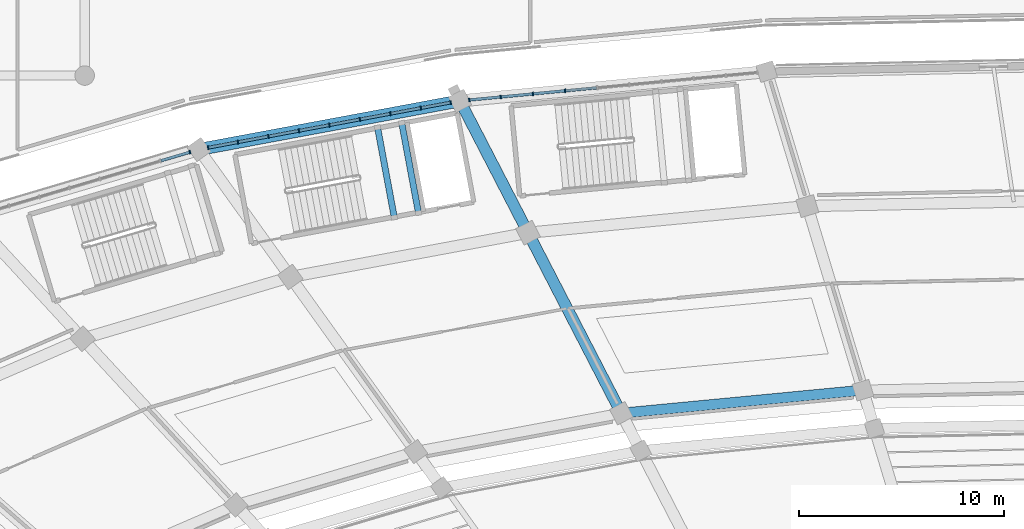
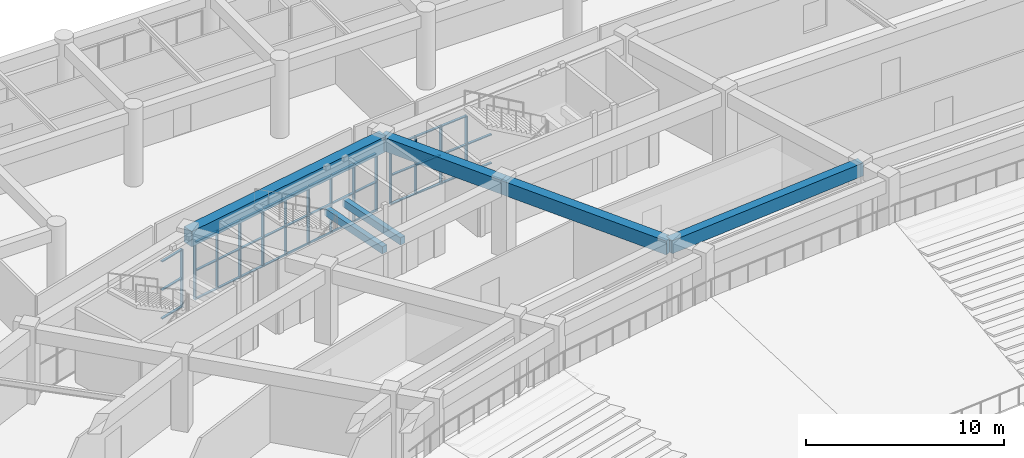
# One storey, part 63 of 152: 52 members, 6 beams, 3 elements without a shape of their own.
"""IFC4 building model written with IfcOpenShell, lengths in metres."""

from ifc_helpers import new_model, si_unit, direction, frame, origin, origin_2d, place, context, subcontext, project, spatial, rectangle, extrude, material, layer, layer_set, material_profile, profile_set, type_object, element, aggregate, save


model = new_model("IFC4")

# Units and contexts
model_context = context("Model", 3, precision=1e-05, world=origin(), true_north=direction((0.0, 1.0)))
body_context = subcontext(model_context, "Body", "Model", "MODEL_VIEW")
ifc_project = project(units=[si_unit("LENGTHUNIT", "METRE"), si_unit("AREAUNIT", "SQUARE_METRE"), si_unit("VOLUMEUNIT", "CUBIC_METRE"), si_unit("PLANEANGLEUNIT", "RADIAN"), si_unit("MASSUNIT", "GRAM", prefix="KILO")], contexts=[model_context])

# Site, building, storey
site_placement = place(None, origin())
site = spatial("IfcSite", under=ifc_project, at=site_placement, CompositionType="ELEMENT")
building_placement = place(site_placement, origin())
building = spatial("IfcBuilding", under=site, at=building_placement, Name="Mphavela Belvedere Stadium", CompositionType="ELEMENT")
storey_placement = place(building_placement, frame((0.0, 0.0, 5.39990234375)))
storey = spatial("IfcBuildingStorey", under=building, at=storey_placement, Name="L01", CompositionType="ELEMENT", Elevation=5.39990234375)

# Beams
ifc_material_1 = material(Name="Concrete C40/50", Category="concrete")
ifc_material_profile_1 = material_profile(ifc_material_1, rectangle(XDim=0.60009765625, YDim=0.949951171875, at=origin_2d()), Name="RC 600x950")
ifc_profile_set_1 = profile_set([ifc_material_profile_1], Name="Concrete C40/50")
beam_type_1 = type_object("IfcBeamType", Name="BM-ENTABLATURE-950", PredefinedType="SPANDREL", material=ifc_profile_set_1)
beam_1_placement = place(storey_placement, frame((77.92724609375, 158.767333984375, 4.0751953125), z_axis=(-0.983098571421, -0.183077029882, 0.0), x_axis=(0.183077029882, -0.983098571421, 0.0)))
element("IfcBeam", 1, at=beam_1_placement, inside=storey, type_object=beam_type_1, Name="Circumferential girder L01 R4-15", PredefinedType="SPANDREL", context=body_context, shape_type="SweptSolid", body=[
    extrude(rectangle(XDim=0.60009765625, YDim=0.949951171875, at=origin_2d()), origin(), (0.0, 0.0, 1.0), 12.947265625),
])
ifc_material_2 = material(Name="Concrete C40/50", Category="concrete")
ifc_material_profile_2 = material_profile(ifc_material_2, rectangle(XDim=0.300048828125, YDim=0.449951171875, at=origin_2d()), Name="RC 300x450")
ifc_profile_set_2 = profile_set([ifc_material_profile_2], Name="Concrete C40/50")
beam_type_2 = type_object("IfcBeamType", Name="BM-RC300x450", PredefinedType="BEAM", material=ifc_profile_set_2)
for number, where, z_axis, x_axis, name in (
    (2, (74.728515625, 153.078125, 1.97509765625), (-0.18307487535, 0.983098972645, 0.0), (-0.983098972645, -0.18307487535, 0.0), "Core C02 landing trimmer beam L01-1"),
    (3, (75.908203125, 153.2978515625, 1.97509765625), (-0.18307487535, 0.983098972645, 0.0), (-0.983098972645, -0.18307487535, 0.0), "Core C02 landing trimmer beam L01-2"),
):
    element("IfcBeam", number, at=place(storey_placement, frame(where, z_axis=z_axis, x_axis=x_axis)), inside=storey, type_object=beam_type_2, Name=name, PredefinedType="BEAM", context=body_context, shape_type="SweptSolid", body=[
        extrude(rectangle(XDim=0.300048828125, YDim=0.449951171875, at=origin_2d()), origin(), (0.0, 0.0, 1.0), 4.469970703125),
    ])
ifc_material_3 = material(Name="Concrete C40/50", Category="concrete")
ifc_material_profile_3 = material_profile(ifc_material_3, rectangle(XDim=0.5, YDim=0.800048828125, at=origin_2d()), Name="RC 500x800")
ifc_profile_set_3 = profile_set([ifc_material_profile_3], Name="Concrete C40/50")
beam_type_3 = type_object("IfcBeamType", Name="BM-RC500x800", PredefinedType="BEAM", material=ifc_profile_set_3)
beam_2_placement = place(storey_placement, frame((97.57958984375, 144.657470703125, 4.150146484375), z_axis=(-0.9954829494, -0.094940494283, 0.0), x_axis=(0.094940494283, -0.9954829494, 0.0)))
element("IfcBeam", 4, at=beam_2_placement, inside=storey, type_object=beam_type_3, Name="Circumferential girder L01 R2-14", PredefinedType="BEAM", context=body_context, shape_type="SweptSolid", body=[
    extrude(rectangle(XDim=0.5, YDim=0.800048828125, at=origin_2d()), origin(), (0.0, 0.0, 1.0), 11.836669921875),
])
ifc_material_4 = material(Name="Concrete C40/50", Category="concrete")
ifc_material_profile_4 = material_profile(ifc_material_4, rectangle(XDim=0.550048828125, YDim=0.85009765625, at=origin_2d()), Name="RC 550x850")
ifc_profile_set_4 = profile_set([ifc_material_profile_4], Name="Concrete C40/50")
beam_type_4 = type_object("IfcBeamType", Name="BM-RC550x850", PredefinedType="BEAM", material=ifc_profile_set_4)
beam_3_placement = place(storey_placement, frame((85.79638671875, 143.53369140625, 4.125), z_axis=(-0.458944837734, 0.888464763464, 0.0), x_axis=(-0.888464763464, -0.458944837734, 0.0)))
element("IfcBeam", 5, at=beam_3_placement, inside=storey, type_object=beam_type_4, Name="Radial concourse girder L01 R2R3-15", PredefinedType="BEAM", context=body_context, shape_type="SweptSolid", body=[
    extrude(rectangle(XDim=0.550048828125, YDim=0.85009765625, at=origin_2d()), origin(), (0.0, 0.0, 1.0), 9.90673828125),
])
beam_4_placement = place(storey_placement, frame((81.249755859375, 152.33544921875, 4.125), z_axis=(-0.458951286165, 0.888461432436, 0.0), x_axis=(-0.888461432436, -0.458951286165, 0.0)))
element("IfcBeam", 6, at=beam_4_placement, inside=storey, type_object=beam_type_4, Name="Radial concourse girder L01 R3R4-15", PredefinedType="BEAM", context=body_context, shape_type="SweptSolid", body=[
    extrude(rectangle(XDim=0.550048828125, YDim=0.85009765625, at=origin_2d()), origin(), (0.0, 0.0, 1.0), 7.2392578125),
])

# Curtain wall, members
ifc_material_5 = material(Name="Anodised bronze unitised curtain wall framing")
ifc_layer_1 = layer(ifc_material_5, 0.18505859375)
ifc_layer_set_1 = layer_set([ifc_layer_1], Name="Anodised bronze unitised curtain wall framing")
curtain_wall_type_1 = type_object("IfcCurtainWallType", Name="CW-UNIT-02", PredefinedType="USERDEFINED", material=ifc_layer_set_1)
curtain_wall_1_placement = place(storey_placement, origin())
curtain_wall_1 = element("IfcCurtainWall", 7, at=curtain_wall_1_placement, inside=storey, type_object=curtain_wall_type_1, Name="Belvedere colonnade curtain wall L01-14", ObjectType="UNITISED CURTAIN WALL", PredefinedType="USERDEFINED")
ifc_material_6 = material(Name="Anodised bronze extruded aluminium", Category="aluminium")
ifc_material_profile_5 = material_profile(ifc_material_6, rectangle(XDim=0.179931640625, YDim=0.06494140625, at=origin_2d()), Name="CW-MUL 180x65")
ifc_profile_set_5 = profile_set([ifc_material_profile_5], Name="Anodised bronze extruded aluminium")
member_type_1 = type_object("IfcMemberType", Name="CWM-180x65", PredefinedType="MULLION", material=ifc_profile_set_5)
member_1_placement = place(storey_placement, frame((83.0537109375, 159.25634765625, 0.0), z_axis=(0.0, 0.0, 1.0), x_axis=(0.094922243726, -0.99548468981, 0.0)))
member_1 = element("IfcMember", 8, at=member_1_placement, type_object=member_type_1, Name="CW-02 mullion 7", PredefinedType="MULLION", context=body_context, shape_type="SweptSolid", body=[
    extrude(rectangle(XDim=0.179931640625, YDim=0.06494140625, at=origin_2d()), origin(), (0.0, 0.0, 1.0), 3.570068359375),
])
member_2_placement = place(storey_placement, frame((81.485107421875, 159.106689453125, 0.0), z_axis=(0.0, 0.0, 1.0), x_axis=(0.094922243726, -0.99548468981, 0.0)))
member_2 = element("IfcMember", 9, at=member_2_placement, type_object=member_type_1, Name="CW-02 mullion 8", PredefinedType="MULLION", context=body_context, shape_type="SweptSolid", body=[
    extrude(rectangle(XDim=0.179931640625, YDim=0.06494140625, at=origin_2d()), origin(), (0.0, 0.0, 1.0), 3.570068359375),
])
member_3_placement = place(storey_placement, frame((79.916748046875, 158.957275390625, 0.0), z_axis=(0.0, 0.0, 1.0), x_axis=(0.094922243726, -0.99548468981, 0.0)))
member_3 = element("IfcMember", 10, at=member_3_placement, type_object=member_type_1, Name="CW-02 mullion 9", PredefinedType="MULLION", context=body_context, shape_type="SweptSolid", body=[
    extrude(rectangle(XDim=0.179931640625, YDim=0.06494140625, at=origin_2d()), origin(), (0.0, 0.0, 1.0), 3.570068359375),
])
member_4_placement = place(storey_placement, frame((78.380615234375, 158.810791015625, 0.0), z_axis=(0.0, 0.0, 1.0), x_axis=(0.094922243726, -0.99548468981, 0.0)))
member_4 = element("IfcMember", 11, at=member_4_placement, type_object=member_type_1, Name="CW-02 mullion 10", PredefinedType="MULLION", context=body_context, shape_type="SweptSolid", body=[
    extrude(rectangle(XDim=0.179931640625, YDim=0.06494140625, at=origin_2d()), origin(), (0.0, 0.0, 1.0), 3.570068359375),
])

ifc_material_7 = material(Name="Anodised bronze unitised curtain wall framing")
ifc_layer_2 = layer(ifc_material_7, 0.18994140625)
ifc_layer_set_2 = layer_set([ifc_layer_2], Name="Anodised bronze unitised curtain wall framing")
curtain_wall_type_2 = type_object("IfcCurtainWallType", Name="CW-UNIT-03", PredefinedType="USERDEFINED", material=ifc_layer_set_2)
curtain_wall_2_placement = place(storey_placement, origin())
curtain_wall_2 = element("IfcCurtainWall", 12, at=curtain_wall_2_placement, inside=storey, type_object=curtain_wall_type_2, Name="Belvedere colonnade curtain wall L01-15", ObjectType="UNITISED CURTAIN WALL", PredefinedType="USERDEFINED")
member_5_placement = place(storey_placement, frame((77.4794921875, 158.68408203125, 0.0), z_axis=(0.0, 0.0, 1.0), x_axis=(0.18309495886, -0.983095232437, 0.0)))
member_5 = element("IfcMember", 13, at=member_5_placement, type_object=member_type_1, Name="CW-03 mullion 1", PredefinedType="MULLION", context=body_context, shape_type="SweptSolid", body=[
    extrude(rectangle(XDim=0.179931640625, YDim=0.06494140625, at=origin_2d()), origin(), (0.0, 0.0, 1.0), 3.570068359375),
])
member_6_placement = place(storey_placement, frame((76.0244140625, 158.4130859375, 0.0), z_axis=(0.0, 0.0, 1.0), x_axis=(0.18309495886, -0.983095232437, 0.0)))
member_6 = element("IfcMember", 14, at=member_6_placement, type_object=member_type_1, Name="CW-03 mullion 2", PredefinedType="MULLION", context=body_context, shape_type="SweptSolid", body=[
    extrude(rectangle(XDim=0.179931640625, YDim=0.06494140625, at=origin_2d()), origin(), (0.0, 0.0, 1.0), 3.570068359375),
])
member_7_placement = place(storey_placement, frame((74.537109375, 158.135986328125, 0.0), z_axis=(0.0, 0.0, 1.0), x_axis=(0.18309495886, -0.983095232437, 0.0)))
member_7 = element("IfcMember", 15, at=member_7_placement, type_object=member_type_1, Name="CW-03 mullion 3", PredefinedType="MULLION", context=body_context, shape_type="SweptSolid", body=[
    extrude(rectangle(XDim=0.179931640625, YDim=0.06494140625, at=origin_2d()), origin(), (0.0, 0.0, 1.0), 3.570068359375),
])
member_8_placement = place(storey_placement, frame((73.050048828125, 157.859130859375, 0.0), z_axis=(0.0, 0.0, 1.0), x_axis=(0.18309495886, -0.983095232437, 0.0)))
member_8 = element("IfcMember", 16, at=member_8_placement, type_object=member_type_1, Name="CW-03 mullion 4", PredefinedType="MULLION", context=body_context, shape_type="SweptSolid", body=[
    extrude(rectangle(XDim=0.179931640625, YDim=0.06494140625, at=origin_2d()), origin(), (0.0, 0.0, 1.0), 3.570068359375),
])
member_9_placement = place(storey_placement, frame((71.56298828125, 157.58203125, 0.0), z_axis=(0.0, 0.0, 1.0), x_axis=(0.18309495886, -0.983095232437, 0.0)))
member_9 = element("IfcMember", 17, at=member_9_placement, type_object=member_type_1, Name="CW-03 mullion 5", PredefinedType="MULLION", context=body_context, shape_type="SweptSolid", body=[
    extrude(rectangle(XDim=0.179931640625, YDim=0.06494140625, at=origin_2d()), origin(), (0.0, 0.0, 1.0), 3.570068359375),
])
member_10_placement = place(storey_placement, frame((70.075927734375, 157.30517578125, 0.0), z_axis=(0.0, 0.0, 1.0), x_axis=(0.18309495886, -0.983095232437, 0.0)))
member_10 = element("IfcMember", 18, at=member_10_placement, type_object=member_type_1, Name="CW-03 mullion 6", PredefinedType="MULLION", context=body_context, shape_type="SweptSolid", body=[
    extrude(rectangle(XDim=0.179931640625, YDim=0.06494140625, at=origin_2d()), origin(), (0.0, 0.0, 1.0), 3.570068359375),
])
member_11_placement = place(storey_placement, frame((68.5888671875, 157.0283203125, 0.0), z_axis=(0.0, 0.0, 1.0), x_axis=(0.18309495886, -0.983095232437, 0.0)))
member_11 = element("IfcMember", 19, at=member_11_placement, type_object=member_type_1, Name="CW-03 mullion 7", PredefinedType="MULLION", context=body_context, shape_type="SweptSolid", body=[
    extrude(rectangle(XDim=0.179931640625, YDim=0.06494140625, at=origin_2d()), origin(), (0.0, 0.0, 1.0), 3.570068359375),
])
member_12_placement = place(storey_placement, frame((67.101806640625, 156.751220703125, 0.0), z_axis=(0.0, 0.0, 1.0), x_axis=(0.18309495886, -0.983095232437, 0.0)))
member_12 = element("IfcMember", 20, at=member_12_placement, type_object=member_type_1, Name="CW-03 mullion 8", PredefinedType="MULLION", context=body_context, shape_type="SweptSolid", body=[
    extrude(rectangle(XDim=0.179931640625, YDim=0.06494140625, at=origin_2d()), origin(), (0.0, 0.0, 1.0), 3.570068359375),
])
member_13_placement = place(storey_placement, frame((65.646484375, 156.480224609375, 0.0), z_axis=(0.0, 0.0, 1.0), x_axis=(0.18309495886, -0.983095232437, 0.0)))
member_13 = element("IfcMember", 21, at=member_13_placement, type_object=member_type_1, Name="CW-03 mullion 9", PredefinedType="MULLION", context=body_context, shape_type="SweptSolid", body=[
    extrude(rectangle(XDim=0.179931640625, YDim=0.06494140625, at=origin_2d()), origin(), (0.0, 0.0, 1.0), 3.570068359375),
])

# Curtain wall, member
ifc_material_8 = material(Name="Anodised bronze unitised curtain wall framing")
ifc_layer_3 = layer(ifc_material_8, 0.195068359375)
ifc_layer_set_3 = layer_set([ifc_layer_3], Name="Anodised bronze unitised curtain wall framing")
curtain_wall_type_3 = type_object("IfcCurtainWallType", Name="CW-UNIT-04", PredefinedType="USERDEFINED", material=ifc_layer_set_3)
curtain_wall_3_placement = place(storey_placement, origin())
curtain_wall_3 = element("IfcCurtainWall", 22, at=curtain_wall_3_placement, inside=storey, type_object=curtain_wall_type_3, Name="Belvedere colonnade curtain wall L01-16", ObjectType="UNITISED CURTAIN WALL", PredefinedType="USERDEFINED")
member_14_placement = place(storey_placement, frame((64.76220703125, 156.267333984375, 0.0), z_axis=(0.0, 0.0, 1.0), x_axis=(0.28455109279, -0.958660876219, 0.0)))
member_14 = element("IfcMember", 23, at=member_14_placement, type_object=member_type_1, Name="CW-04 mullion 1", PredefinedType="MULLION", context=body_context, shape_type="SweptSolid", body=[
    extrude(rectangle(XDim=0.179931640625, YDim=0.06494140625, at=origin_2d()), origin(), (0.0, 0.0, 1.0), 3.570068359375),
])

# Member
ifc_material_9 = material(Name="Anodised bronze extruded aluminium", Category="aluminium")
ifc_material_profile_6 = material_profile(ifc_material_9, rectangle(XDim=0.139892578125, YDim=0.06005859375, at=origin_2d()), Name="CW-TRN 140x60")
ifc_profile_set_6 = profile_set([ifc_material_profile_6], Name="Anodised bronze extruded aluminium")
member_type_2 = type_object("IfcMemberType", Name="CWT-140x60", PredefinedType="USERDEFINED", material=ifc_profile_set_6)
member_15_placement = place(storey_placement, frame((84.58984375, 159.40283203125, 0.030029296875), z_axis=(-0.995475113122, -0.095022624434, 0.0), x_axis=(0.095022624434, -0.995475113122, 0.0)))
member_15 = element("IfcMember", 24, at=member_15_placement, type_object=member_type_2, Name="CW-02 transom 6.1", ObjectType="TRANSOM", PredefinedType="USERDEFINED", context=body_context, shape_type="SweptSolid", body=[
    extrude(rectangle(XDim=0.139892578125, YDim=0.06005859375, at=origin_2d()), origin(), (0.0, 0.0, 1.0), 1.5107421875),
])

member_16_placement = place(storey_placement, frame((84.58984375, 159.40283203125, 1.78515625), z_axis=(-0.995475113122, -0.095022624434, 0.0), x_axis=(0.095022624434, -0.995475113122, 0.0)))
member_16 = element("IfcMember", 25, at=member_16_placement, type_object=member_type_2, Name="CW-02 transom 6.2", ObjectType="TRANSOM", PredefinedType="USERDEFINED", context=body_context, shape_type="SweptSolid", body=[
    extrude(rectangle(XDim=0.139892578125, YDim=0.06005859375, at=origin_2d()), origin(), (0.0, 0.0, 1.0), 1.5107421875),
])

member_17_placement = place(storey_placement, frame((83.021240234375, 159.253173828125, 0.030029296875), z_axis=(-0.99548893232, -0.094877740424, 0.0), x_axis=(0.094877740424, -0.99548893232, 0.0)))
member_17 = element("IfcMember", 26, at=member_17_placement, type_object=member_type_2, Name="CW-02 transom 7.1", ObjectType="TRANSOM", PredefinedType="USERDEFINED", context=body_context, shape_type="SweptSolid", body=[
    extrude(rectangle(XDim=0.139892578125, YDim=0.06005859375, at=origin_2d()), origin(), (0.0, 0.0, 1.0), 1.510498046875),
])

member_18_placement = place(storey_placement, frame((83.021240234375, 159.253173828125, 1.78515625), z_axis=(-0.99548893232, -0.094877740424, 0.0), x_axis=(0.094877740424, -0.99548893232, 0.0)))
member_18 = element("IfcMember", 27, at=member_18_placement, type_object=member_type_2, Name="CW-02 transom 7.2", ObjectType="TRANSOM", PredefinedType="USERDEFINED", context=body_context, shape_type="SweptSolid", body=[
    extrude(rectangle(XDim=0.139892578125, YDim=0.06005859375, at=origin_2d()), origin(), (0.0, 0.0, 1.0), 1.510498046875),
])

member_19_placement = place(storey_placement, frame((83.021240234375, 159.253173828125, 3.5400390625), z_axis=(-0.99548893232, -0.094877740424, 0.0), x_axis=(0.094877740424, -0.99548893232, 0.0)))
member_19 = element("IfcMember", 28, at=member_19_placement, type_object=member_type_2, Name="CW-02 transom 7.3", ObjectType="TRANSOM", PredefinedType="USERDEFINED", context=body_context, shape_type="SweptSolid", body=[
    extrude(rectangle(XDim=0.139892578125, YDim=0.06005859375, at=origin_2d()), origin(), (0.0, 0.0, 1.0), 1.510498046875),
])

member_20_placement = place(storey_placement, frame((81.452880859375, 159.103515625, 0.030029296875), z_axis=(-0.99548893232, -0.094877740424, 0.0), x_axis=(0.094877740424, -0.99548893232, 0.0)))
member_20 = element("IfcMember", 29, at=member_20_placement, type_object=member_type_2, Name="CW-02 transom 8.1", ObjectType="TRANSOM", PredefinedType="USERDEFINED", context=body_context, shape_type="SweptSolid", body=[
    extrude(rectangle(XDim=0.139892578125, YDim=0.06005859375, at=origin_2d()), origin(), (0.0, 0.0, 1.0), 1.510498046875),
])

member_21_placement = place(storey_placement, frame((81.452880859375, 159.103515625, 1.78515625), z_axis=(-0.99548893232, -0.094877740424, 0.0), x_axis=(0.094877740424, -0.99548893232, 0.0)))
member_21 = element("IfcMember", 30, at=member_21_placement, type_object=member_type_2, Name="CW-02 transom 8.2", ObjectType="TRANSOM", PredefinedType="USERDEFINED", context=body_context, shape_type="SweptSolid", body=[
    extrude(rectangle(XDim=0.139892578125, YDim=0.06005859375, at=origin_2d()), origin(), (0.0, 0.0, 1.0), 1.510498046875),
])

member_22_placement = place(storey_placement, frame((81.452880859375, 159.103515625, 3.5400390625), z_axis=(-0.99548893232, -0.094877740424, 0.0), x_axis=(0.094877740424, -0.99548893232, 0.0)))
member_22 = element("IfcMember", 31, at=member_22_placement, type_object=member_type_2, Name="CW-02 transom 8.3", ObjectType="TRANSOM", PredefinedType="USERDEFINED", context=body_context, shape_type="SweptSolid", body=[
    extrude(rectangle(XDim=0.139892578125, YDim=0.06005859375, at=origin_2d()), origin(), (0.0, 0.0, 1.0), 1.510498046875),
])

member_23_placement = place(storey_placement, frame((79.88427734375, 158.9541015625, 0.030029296875), z_axis=(-0.995478379881, -0.094988395027, 0.0), x_axis=(0.094988395027, -0.995478379881, 0.0)))
member_23 = element("IfcMember", 32, at=member_23_placement, type_object=member_type_2, Name="CW-02 transom 9.1", ObjectType="TRANSOM", PredefinedType="USERDEFINED", context=body_context, shape_type="SweptSolid", body=[
    extrude(rectangle(XDim=0.139892578125, YDim=0.06005859375, at=origin_2d()), origin(), (0.0, 0.0, 1.0), 1.477783203125),
])

member_24_placement = place(storey_placement, frame((79.88427734375, 158.9541015625, 1.78515625), z_axis=(-0.995478379881, -0.094988395027, 0.0), x_axis=(0.094988395027, -0.995478379881, 0.0)))
member_24 = element("IfcMember", 33, at=member_24_placement, type_object=member_type_2, Name="CW-02 transom 9.2", ObjectType="TRANSOM", PredefinedType="USERDEFINED", context=body_context, shape_type="SweptSolid", body=[
    extrude(rectangle(XDim=0.139892578125, YDim=0.06005859375, at=origin_2d()), origin(), (0.0, 0.0, 1.0), 1.477783203125),
])

member_25_placement = place(storey_placement, frame((79.88427734375, 158.9541015625, 3.5400390625), z_axis=(-0.995478379881, -0.094988395027, 0.0), x_axis=(0.094988395027, -0.995478379881, 0.0)))
member_25 = element("IfcMember", 34, at=member_25_placement, type_object=member_type_2, Name="CW-02 transom 9.3", ObjectType="TRANSOM", PredefinedType="USERDEFINED", context=body_context, shape_type="SweptSolid", body=[
    extrude(rectangle(XDim=0.139892578125, YDim=0.06005859375, at=origin_2d()), origin(), (0.0, 0.0, 1.0), 1.477783203125),
])

aggregate(curtain_wall_1, [member_1, member_2, member_3, member_4, member_15, member_16, member_17, member_18, member_19, member_20, member_21, member_22, member_23, member_24, member_25])

member_26_placement = place(storey_placement, frame((77.447509765625, 158.677978515625, 0.030029296875), z_axis=(-0.983107678668, -0.183028118453, 0.0), x_axis=(0.183028118453, -0.983107678668, 0.0)))
member_26 = element("IfcMember", 35, at=member_26_placement, type_object=member_type_2, Name="CW-03 transom 1.1", ObjectType="TRANSOM", PredefinedType="USERDEFINED", context=body_context, shape_type="SweptSolid", body=[
    extrude(rectangle(XDim=0.139892578125, YDim=0.06005859375, at=origin_2d()), origin(), (0.0, 0.0, 1.0), 1.415283203125),
])

member_27_placement = place(storey_placement, frame((77.447509765625, 158.677978515625, 1.78515625), z_axis=(-0.983107678668, -0.183028118453, 0.0), x_axis=(0.183028118453, -0.983107678668, 0.0)))
member_27 = element("IfcMember", 36, at=member_27_placement, type_object=member_type_2, Name="CW-03 transom 1.2", ObjectType="TRANSOM", PredefinedType="USERDEFINED", context=body_context, shape_type="SweptSolid", body=[
    extrude(rectangle(XDim=0.139892578125, YDim=0.06005859375, at=origin_2d()), origin(), (0.0, 0.0, 1.0), 1.415283203125),
])

member_28_placement = place(storey_placement, frame((77.447509765625, 158.677978515625, 3.5400390625), z_axis=(-0.983107678668, -0.183028118453, 0.0), x_axis=(0.183028118453, -0.983107678668, 0.0)))
member_28 = element("IfcMember", 37, at=member_28_placement, type_object=member_type_2, Name="CW-03 transom 1.3", ObjectType="TRANSOM", PredefinedType="USERDEFINED", context=body_context, shape_type="SweptSolid", body=[
    extrude(rectangle(XDim=0.139892578125, YDim=0.06005859375, at=origin_2d()), origin(), (0.0, 0.0, 1.0), 1.415283203125),
])

member_29_placement = place(storey_placement, frame((75.992431640625, 158.406982421875, 0.030029296875), z_axis=(-0.983119469828, -0.182964772687, 0.0), x_axis=(0.182964772687, -0.983119469828, 0.0)))
member_29 = element("IfcMember", 38, at=member_29_placement, type_object=member_type_2, Name="CW-03 transom 2.1", ObjectType="TRANSOM", PredefinedType="USERDEFINED", context=body_context, shape_type="SweptSolid", body=[
    extrude(rectangle(XDim=0.139892578125, YDim=0.06005859375, at=origin_2d()), origin(), (0.0, 0.0, 1.0), 1.44775390625),
])

member_30_placement = place(storey_placement, frame((75.992431640625, 158.406982421875, 1.78515625), z_axis=(-0.983119469828, -0.182964772687, 0.0), x_axis=(0.182964772687, -0.983119469828, 0.0)))
member_30 = element("IfcMember", 39, at=member_30_placement, type_object=member_type_2, Name="CW-03 transom 2.2", ObjectType="TRANSOM", PredefinedType="USERDEFINED", context=body_context, shape_type="SweptSolid", body=[
    extrude(rectangle(XDim=0.139892578125, YDim=0.06005859375, at=origin_2d()), origin(), (0.0, 0.0, 1.0), 1.44775390625),
])

member_31_placement = place(storey_placement, frame((75.992431640625, 158.406982421875, 3.5400390625), z_axis=(-0.983119469828, -0.182964772687, 0.0), x_axis=(0.182964772687, -0.983119469828, 0.0)))
member_31 = element("IfcMember", 40, at=member_31_placement, type_object=member_type_2, Name="CW-03 transom 2.3", ObjectType="TRANSOM", PredefinedType="USERDEFINED", context=body_context, shape_type="SweptSolid", body=[
    extrude(rectangle(XDim=0.139892578125, YDim=0.06005859375, at=origin_2d()), origin(), (0.0, 0.0, 1.0), 1.44775390625),
])

member_32_placement = place(storey_placement, frame((74.50537109375, 158.130126953125, 0.030029296875), z_axis=(-0.983089124524, -0.183127751155, 0.0), x_axis=(0.183127751155, -0.983089124524, 0.0)))
member_32 = element("IfcMember", 41, at=member_32_placement, type_object=member_type_2, Name="CW-03 transom 3.1", ObjectType="TRANSOM", PredefinedType="USERDEFINED", context=body_context, shape_type="SweptSolid", body=[
    extrude(rectangle(XDim=0.139892578125, YDim=0.06005859375, at=origin_2d()), origin(), (0.0, 0.0, 1.0), 1.44775390625),
])

member_33_placement = place(storey_placement, frame((74.50537109375, 158.130126953125, 1.78515625), z_axis=(-0.983089124524, -0.183127751155, 0.0), x_axis=(0.183127751155, -0.983089124524, 0.0)))
member_33 = element("IfcMember", 42, at=member_33_placement, type_object=member_type_2, Name="CW-03 transom 3.2", ObjectType="TRANSOM", PredefinedType="USERDEFINED", context=body_context, shape_type="SweptSolid", body=[
    extrude(rectangle(XDim=0.139892578125, YDim=0.06005859375, at=origin_2d()), origin(), (0.0, 0.0, 1.0), 1.44775390625),
])

member_34_placement = place(storey_placement, frame((74.50537109375, 158.130126953125, 3.5400390625), z_axis=(-0.983089124524, -0.183127751155, 0.0), x_axis=(0.183127751155, -0.983089124524, 0.0)))
member_34 = element("IfcMember", 43, at=member_34_placement, type_object=member_type_2, Name="CW-03 transom 3.3", ObjectType="TRANSOM", PredefinedType="USERDEFINED", context=body_context, shape_type="SweptSolid", body=[
    extrude(rectangle(XDim=0.139892578125, YDim=0.06005859375, at=origin_2d()), origin(), (0.0, 0.0, 1.0), 1.44775390625),
])

member_35_placement = place(storey_placement, frame((73.01806640625, 157.853271484375, 0.030029296875), z_axis=(-0.983083468117, -0.183158113977, 0.0), x_axis=(0.183158113977, -0.983083468117, 0.0)))
member_35 = element("IfcMember", 44, at=member_35_placement, type_object=member_type_2, Name="CW-03 transom 4.1", ObjectType="TRANSOM", PredefinedType="USERDEFINED", context=body_context, shape_type="SweptSolid", body=[
    extrude(rectangle(XDim=0.139892578125, YDim=0.06005859375, at=origin_2d()), origin(), (0.0, 0.0, 1.0), 1.447509765625),
])

member_36_placement = place(storey_placement, frame((73.01806640625, 157.853271484375, 1.78515625), z_axis=(-0.983083468117, -0.183158113977, 0.0), x_axis=(0.183158113977, -0.983083468117, 0.0)))
member_36 = element("IfcMember", 45, at=member_36_placement, type_object=member_type_2, Name="CW-03 transom 4.2", ObjectType="TRANSOM", PredefinedType="USERDEFINED", context=body_context, shape_type="SweptSolid", body=[
    extrude(rectangle(XDim=0.139892578125, YDim=0.06005859375, at=origin_2d()), origin(), (0.0, 0.0, 1.0), 1.447509765625),
])

member_37_placement = place(storey_placement, frame((73.01806640625, 157.853271484375, 3.5400390625), z_axis=(-0.983083468117, -0.183158113977, 0.0), x_axis=(0.183158113977, -0.983083468117, 0.0)))
member_37 = element("IfcMember", 46, at=member_37_placement, type_object=member_type_2, Name="CW-03 transom 4.3", ObjectType="TRANSOM", PredefinedType="USERDEFINED", context=body_context, shape_type="SweptSolid", body=[
    extrude(rectangle(XDim=0.139892578125, YDim=0.06005859375, at=origin_2d()), origin(), (0.0, 0.0, 1.0), 1.447509765625),
])

member_38_placement = place(storey_placement, frame((71.531005859375, 157.576171875, 0.030029296875), z_axis=(-0.983083468117, -0.183158113977, 0.0), x_axis=(0.183158113977, -0.983083468117, 0.0)))
member_38 = element("IfcMember", 47, at=member_38_placement, type_object=member_type_2, Name="CW-03 transom 5.1", ObjectType="TRANSOM", PredefinedType="USERDEFINED", context=body_context, shape_type="SweptSolid", body=[
    extrude(rectangle(XDim=0.139892578125, YDim=0.06005859375, at=origin_2d()), origin(), (0.0, 0.0, 1.0), 1.447509765625),
])

member_39_placement = place(storey_placement, frame((71.531005859375, 157.576171875, 1.78515625), z_axis=(-0.983083468117, -0.183158113977, 0.0), x_axis=(0.183158113977, -0.983083468117, 0.0)))
member_39 = element("IfcMember", 48, at=member_39_placement, type_object=member_type_2, Name="CW-03 transom 5.2", ObjectType="TRANSOM", PredefinedType="USERDEFINED", context=body_context, shape_type="SweptSolid", body=[
    extrude(rectangle(XDim=0.139892578125, YDim=0.06005859375, at=origin_2d()), origin(), (0.0, 0.0, 1.0), 1.447509765625),
])

member_40_placement = place(storey_placement, frame((71.531005859375, 157.576171875, 3.5400390625), z_axis=(-0.983083468117, -0.183158113977, 0.0), x_axis=(0.183158113977, -0.983083468117, 0.0)))
member_40 = element("IfcMember", 49, at=member_40_placement, type_object=member_type_2, Name="CW-03 transom 5.3", ObjectType="TRANSOM", PredefinedType="USERDEFINED", context=body_context, shape_type="SweptSolid", body=[
    extrude(rectangle(XDim=0.139892578125, YDim=0.06005859375, at=origin_2d()), origin(), (0.0, 0.0, 1.0), 1.447509765625),
])

member_41_placement = place(storey_placement, frame((70.0439453125, 157.29931640625, 0.030029296875), z_axis=(-0.983083468117, -0.183158113977, 0.0), x_axis=(0.183158113977, -0.983083468117, 0.0)))
member_41 = element("IfcMember", 50, at=member_41_placement, type_object=member_type_2, Name="CW-03 transom 6.1", ObjectType="TRANSOM", PredefinedType="USERDEFINED", context=body_context, shape_type="SweptSolid", body=[
    extrude(rectangle(XDim=0.139892578125, YDim=0.06005859375, at=origin_2d()), origin(), (0.0, 0.0, 1.0), 1.447509765625),
])

member_42_placement = place(storey_placement, frame((70.0439453125, 157.29931640625, 1.78515625), z_axis=(-0.983083468117, -0.183158113977, 0.0), x_axis=(0.183158113977, -0.983083468117, 0.0)))
member_42 = element("IfcMember", 51, at=member_42_placement, type_object=member_type_2, Name="CW-03 transom 6.2", ObjectType="TRANSOM", PredefinedType="USERDEFINED", context=body_context, shape_type="SweptSolid", body=[
    extrude(rectangle(XDim=0.139892578125, YDim=0.06005859375, at=origin_2d()), origin(), (0.0, 0.0, 1.0), 1.447509765625),
])

member_43_placement = place(storey_placement, frame((70.0439453125, 157.29931640625, 3.5400390625), z_axis=(-0.983083468117, -0.183158113977, 0.0), x_axis=(0.183158113977, -0.983083468117, 0.0)))
member_43 = element("IfcMember", 52, at=member_43_placement, type_object=member_type_2, Name="CW-03 transom 6.3", ObjectType="TRANSOM", PredefinedType="USERDEFINED", context=body_context, shape_type="SweptSolid", body=[
    extrude(rectangle(XDim=0.139892578125, YDim=0.06005859375, at=origin_2d()), origin(), (0.0, 0.0, 1.0), 1.447509765625),
])

member_44_placement = place(storey_placement, frame((68.556884765625, 157.022216796875, 0.030029296875), z_axis=(-0.983119469828, -0.182964772687, 0.0), x_axis=(0.182964772687, -0.983119469828, 0.0)))
member_44 = element("IfcMember", 53, at=member_44_placement, type_object=member_type_2, Name="CW-03 transom 7.1", ObjectType="TRANSOM", PredefinedType="USERDEFINED", context=body_context, shape_type="SweptSolid", body=[
    extrude(rectangle(XDim=0.139892578125, YDim=0.06005859375, at=origin_2d()), origin(), (0.0, 0.0, 1.0), 1.44775390625),
])

member_45_placement = place(storey_placement, frame((68.556884765625, 157.022216796875, 1.78515625), z_axis=(-0.983119469828, -0.182964772687, 0.0), x_axis=(0.182964772687, -0.983119469828, 0.0)))
member_45 = element("IfcMember", 54, at=member_45_placement, type_object=member_type_2, Name="CW-03 transom 7.2", ObjectType="TRANSOM", PredefinedType="USERDEFINED", context=body_context, shape_type="SweptSolid", body=[
    extrude(rectangle(XDim=0.139892578125, YDim=0.06005859375, at=origin_2d()), origin(), (0.0, 0.0, 1.0), 1.44775390625),
])

member_46_placement = place(storey_placement, frame((68.556884765625, 157.022216796875, 3.5400390625), z_axis=(-0.983119469828, -0.182964772687, 0.0), x_axis=(0.182964772687, -0.983119469828, 0.0)))
member_46 = element("IfcMember", 55, at=member_46_placement, type_object=member_type_2, Name="CW-03 transom 7.3", ObjectType="TRANSOM", PredefinedType="USERDEFINED", context=body_context, shape_type="SweptSolid", body=[
    extrude(rectangle(XDim=0.139892578125, YDim=0.06005859375, at=origin_2d()), origin(), (0.0, 0.0, 1.0), 1.44775390625),
])

member_47_placement = place(storey_placement, frame((67.06982421875, 156.745361328125, 0.030029296875), z_axis=(-0.983076625538, -0.183194837045, 0.0), x_axis=(0.183194837045, -0.983076625538, 0.0)))
member_47 = element("IfcMember", 56, at=member_47_placement, type_object=member_type_2, Name="CW-03 transom 8.1", ObjectType="TRANSOM", PredefinedType="USERDEFINED", context=body_context, shape_type="SweptSolid", body=[
    extrude(rectangle(XDim=0.139892578125, YDim=0.06005859375, at=origin_2d()), origin(), (0.0, 0.0, 1.0), 1.415283203125),
])

member_48_placement = place(storey_placement, frame((67.06982421875, 156.745361328125, 1.78515625), z_axis=(-0.983076625538, -0.183194837045, 0.0), x_axis=(0.183194837045, -0.983076625538, 0.0)))
member_48 = element("IfcMember", 57, at=member_48_placement, type_object=member_type_2, Name="CW-03 transom 8.2", ObjectType="TRANSOM", PredefinedType="USERDEFINED", context=body_context, shape_type="SweptSolid", body=[
    extrude(rectangle(XDim=0.139892578125, YDim=0.06005859375, at=origin_2d()), origin(), (0.0, 0.0, 1.0), 1.415283203125),
])

member_49_placement = place(storey_placement, frame((67.06982421875, 156.745361328125, 3.5400390625), z_axis=(-0.983076625538, -0.183194837045, 0.0), x_axis=(0.183194837045, -0.983076625538, 0.0)))
member_49 = element("IfcMember", 58, at=member_49_placement, type_object=member_type_2, Name="CW-03 transom 8.3", ObjectType="TRANSOM", PredefinedType="USERDEFINED", context=body_context, shape_type="SweptSolid", body=[
    extrude(rectangle(XDim=0.139892578125, YDim=0.06005859375, at=origin_2d()), origin(), (0.0, 0.0, 1.0), 1.415283203125),
])

aggregate(curtain_wall_2, [member_5, member_6, member_7, member_8, member_9, member_10, member_11, member_12, member_13, member_26, member_27, member_28, member_29, member_30, member_31, member_32, member_33, member_34, member_35, member_36, member_37, member_38, member_39, member_40, member_41, member_42, member_43, member_44, member_45, member_46, member_47, member_48, member_49])

member_50_placement = place(storey_placement, frame((64.73095703125, 156.258056640625, 0.030029296875), z_axis=(-0.95864758843, -0.284595855904, 0.0), x_axis=(0.284595855904, -0.95864758843, 0.0)))
member_50 = element("IfcMember", 59, at=member_50_placement, type_object=member_type_2, Name="CW-04 transom 1.1", ObjectType="TRANSOM", PredefinedType="USERDEFINED", context=body_context, shape_type="SweptSolid", body=[
    extrude(rectangle(XDim=0.139892578125, YDim=0.06005859375, at=origin_2d()), origin(), (0.0, 0.0, 1.0), 1.441162109375),
])

member_51_placement = place(storey_placement, frame((64.73095703125, 156.258056640625, 1.78515625), z_axis=(-0.95864758843, -0.284595855904, 0.0), x_axis=(0.284595855904, -0.95864758843, 0.0)))
member_51 = element("IfcMember", 60, at=member_51_placement, type_object=member_type_2, Name="CW-04 transom 1.2", ObjectType="TRANSOM", PredefinedType="USERDEFINED", context=body_context, shape_type="SweptSolid", body=[
    extrude(rectangle(XDim=0.139892578125, YDim=0.06005859375, at=origin_2d()), origin(), (0.0, 0.0, 1.0), 1.441162109375),
])

member_52_placement = place(storey_placement, frame((64.73095703125, 156.258056640625, 3.5400390625), z_axis=(-0.95864758843, -0.284595855904, 0.0), x_axis=(0.284595855904, -0.95864758843, 0.0)))
member_52 = element("IfcMember", 61, at=member_52_placement, type_object=member_type_2, Name="CW-04 transom 1.3", ObjectType="TRANSOM", PredefinedType="USERDEFINED", context=body_context, shape_type="SweptSolid", body=[
    extrude(rectangle(XDim=0.139892578125, YDim=0.06005859375, at=origin_2d()), origin(), (0.0, 0.0, 1.0), 1.441162109375),
])

aggregate(curtain_wall_3, [member_14, member_50, member_51, member_52])

save(model, "model.ifc")
